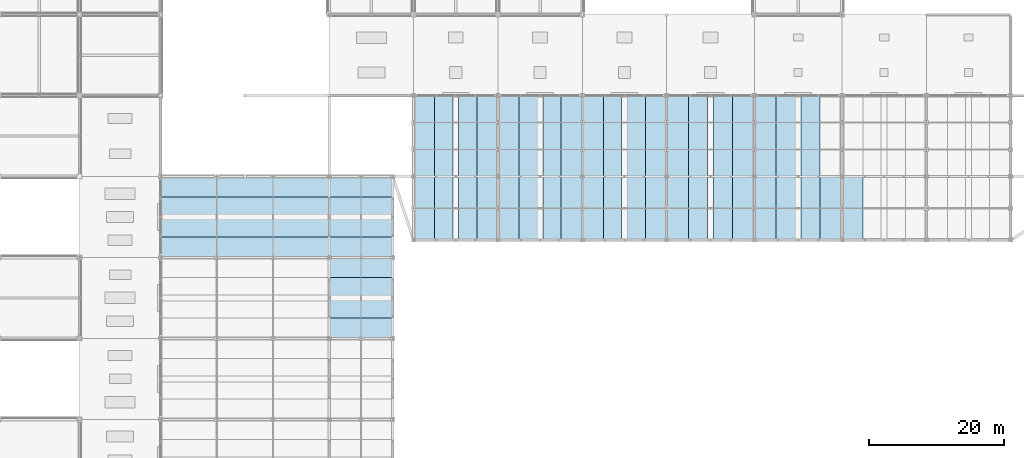
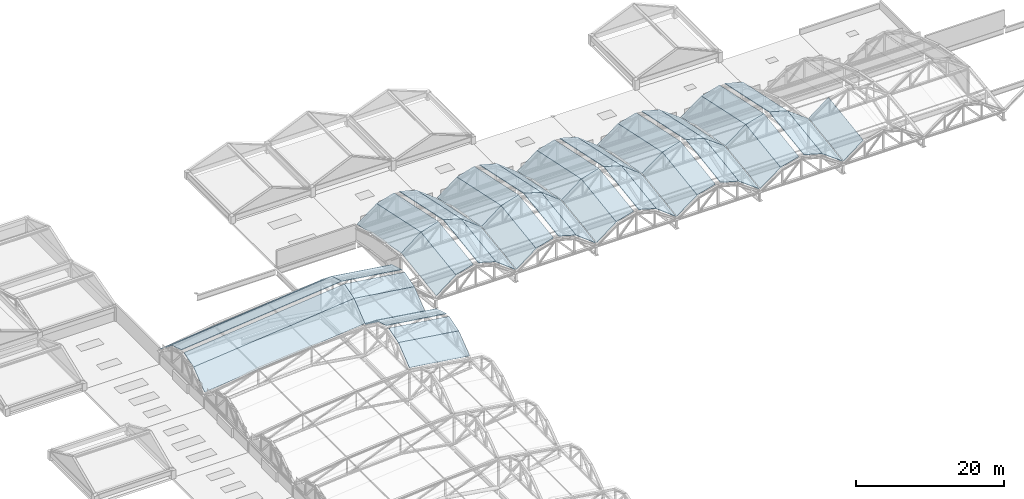
# One storey, part 112 of 117: 52 roofs.
"""IFC4 building model written with IfcOpenShell, lengths in metres."""

from ifc_helpers import new_model, si_unit, direction, frame, origin, place, context, subcontext, project, spatial, polyline, outline, extrude, material, layer, layer_set, type_object, element, save


model = new_model("IFC4")

# Units and contexts
model_context = context("Model", 3, precision=1e-05, world=origin(), true_north=direction((0.0, 1.0)))
body_context = subcontext(model_context, "Body", "Model", "MODEL_VIEW")
ifc_project = project(units=[si_unit("LENGTHUNIT", "METRE"), si_unit("AREAUNIT", "SQUARE_METRE"), si_unit("VOLUMEUNIT", "CUBIC_METRE"), si_unit("PLANEANGLEUNIT", "RADIAN"), si_unit("MASSUNIT", "GRAM", prefix="KILO")], contexts=[model_context])

# Site, building, storey
site_placement = place(None, origin())
site = spatial("IfcSite", under=ifc_project, at=site_placement, CompositionType="ELEMENT")
building_placement = place(site_placement, origin())
building = spatial("IfcBuilding", under=site, at=building_placement, Name="Kazenohara Klinker Stadium", CompositionType="ELEMENT")
storey_placement = place(building_placement, frame((0.0, 0.0, 31.199951171875)))
storey = spatial("IfcBuildingStorey", under=building, at=storey_placement, Name="RF", CompositionType="ELEMENT", Elevation=31.199951171875)

# Roofs
ifc_material = material(Name="Patina copper standing seam roofing", Category="metal")
ifc_layer = layer(ifc_material, 0.080078125)
ifc_layer_set = layer_set([ifc_layer], Name="Patina copper standing seam roofing")
roof_type = type_object("IfcRoofType", Name="ROOF-BARREL-01", PredefinedType="BARREL_ROOF", material=ifc_layer_set)
roof_1_placement = place(storey_placement, frame((49.0, 108.06005859375, 5.14794921875), z_axis=(0.1114348372, -0.620820003285, 0.775992783845), x_axis=(0.989845879347, 0.0, -0.142144768244)))
element("IfcRoof", 1, at=roof_1_placement, inside=storey, type_object=roof_type, Name="Scalloped copper barrel-arch roof shell W-06 inner strip 1", PredefinedType="BARREL_ROOF", context=body_context, shape_type="SweptSolid", body=[
    extrude(outline(polyline([(0.0, 0.0), (9.496329216369972, -1.1102230246251565e-16), (9.16199750317222, 3.750149417731541), (-0.3343317131977522, 3.7501494177315413), (0.0, 0.0)])), origin(), (0.0, 0.0, -1.0), 0.080078125),
])
roof_2_placement = place(storey_placement, frame((49.0, 111.0, 7.5), z_axis=(0.136061259308, -0.289700944037, 0.947396800047), x_axis=(0.989844222428, 3.528061e-06, -0.142156305924)))
element("IfcRoof", 2, at=roof_2_placement, inside=storey, type_object=roof_type, Name="Scalloped copper barrel-arch roof shell W-06 inner strip 2", PredefinedType="BARREL_ROOF", context=body_context, shape_type="SweptSolid", body=[
    extrude(outline(polyline([(0.0, 0.0), (9.496329215665769, -1.1102230246251565e-16), (9.382641165120983, 2.733138275735066), (-0.11372275667416151, 2.7332082853263064), (0.0, 0.0)])), origin(), (0.0, 0.0, -1.0), 0.080078125),
])
roof_3_placement = place(storey_placement, frame((49.0, 114.384033203125, 8.300048828125), z_axis=(0.136061259308, 0.289700944037, 0.947396800047), x_axis=(0.989843918815, 3.528048e-06, -0.142158419982)))
element("IfcRoof", 3, at=roof_3_placement, inside=storey, type_object=roof_type, Name="Scalloped copper barrel-arch roof shell W-06 inner strip 3", PredefinedType="BARREL_ROOF", context=body_context, shape_type="SweptSolid", body=[
    extrude(outline(polyline([(0.0, 0.0), (9.49636392205321, 0.0), (9.61007212197998, 2.733137437523795), (0.11374290657227543, 2.733207446859171), (0.0, 0.0)])), origin(), (0.0, 0.0, -1.0), 0.080078125),
])
roof_4_placement = place(storey_placement, frame((49.0, 117.0, 7.5), z_axis=(0.1114348372, 0.620820003285, 0.775992783845), x_axis=(0.989845879347, 0.0, -0.142144768244)))
element("IfcRoof", 4, at=roof_4_placement, inside=storey, type_object=roof_type, Name="Scalloped copper barrel-arch roof shell W-06 inner strip 4", PredefinedType="BARREL_ROOF", context=body_context, shape_type="SweptSolid", body=[
    extrude(outline(polyline([(0.0, 0.0), (9.496329216369972, 1.1102230246251565e-16), (9.830660929567724, 3.7501494177315413), (0.3343317131977522, 3.7501494177315413), (0.0, 0.0)])), origin(), (0.0, 0.0, -1.0), 0.080078125),
])
roof_5_placement = place(storey_placement, frame((49.0, 120.06005859375, 5.14794921875), z_axis=(0.1114348372, -0.620820003285, 0.775992783845), x_axis=(0.989845879347, 0.0, -0.142144768244)))
element("IfcRoof", 5, at=roof_5_placement, inside=storey, type_object=roof_type, Name="Scalloped copper barrel-arch roof shell W-07 inner strip 1", PredefinedType="BARREL_ROOF", context=body_context, shape_type="SweptSolid", body=[
    extrude(outline(polyline([(0.0, 0.0), (9.496329216369972, -1.1102230246251565e-16), (9.16199750317222, 3.750149417731541), (-0.3343317131977522, 3.7501494177315413), (0.0, 0.0)])), origin(), (0.0, 0.0, -1.0), 0.080078125),
])
roof_6_placement = place(storey_placement, frame((24.0, 120.06005859375, 2.59814453125), z_axis=(-0.079395226247, -0.62271907893, 0.778406928788), x_axis=(0.994838726822, -2.354625e-06, 0.101468751889)))
element("IfcRoof", 6, at=roof_6_placement, inside=storey, type_object=roof_type, Name="Scalloped copper barrel-arch roof shell W-07 outer strip 1", PredefinedType="BARREL_ROOF", context=body_context, shape_type="SweptSolid", body=[
    extrude(outline(polyline([(0.0, 0.0), (25.129693669747912, 0.0), (25.368346404441525, 3.7574516913669496), (0.2386279620491107, 3.7573004449698315), (0.0, 0.0)])), origin(), (0.0, 0.0, -1.0), 0.080078125),
])
roof_7_placement = place(storey_placement, frame((49.0, 123.0, 7.5), z_axis=(0.136061259308, -0.289700944037, 0.947396800047), x_axis=(0.989844222428, 3.528061e-06, -0.142156305924)))
element("IfcRoof", 7, at=roof_7_placement, inside=storey, type_object=roof_type, Name="Scalloped copper barrel-arch roof shell W-07 inner strip 2", PredefinedType="BARREL_ROOF", context=body_context, shape_type="SweptSolid", body=[
    extrude(outline(polyline([(0.0, 0.0), (9.496329215665769, -1.1102230246251565e-16), (9.382641165120983, 2.733138275735066), (-0.11372275667416151, 2.7332082853263064), (0.0, 0.0)])), origin(), (0.0, 0.0, -1.0), 0.080078125),
])
roof_8_placement = place(storey_placement, frame((24.0, 123.0, 4.949951171875), z_axis=(-0.097081417551, -0.291079679099, 0.951760378867), x_axis=(0.994838046303, 0.0, 0.101475423766)))
element("IfcRoof", 8, at=roof_8_placement, inside=storey, type_object=roof_type, Name="Scalloped copper barrel-arch roof shell W-07 outer strip 2", PredefinedType="BARREL_ROOF", context=body_context, shape_type="SweptSolid", body=[
    extrude(outline(polyline([(0.0, 0.0), (25.129718443027205, 0.0), (25.210903736894636, 2.734368182559966), (0.08118529386742987, 2.7343681825599666), (0.0, 0.0)])), origin(), (0.0, 0.0, -1.0), 0.080078125),
])
roof_9_placement = place(storey_placement, frame((49.0, 126.384033203125, 8.300048828125), z_axis=(0.136061259308, 0.289700944037, 0.947396800047), x_axis=(0.989843918815, 3.528048e-06, -0.142158419982)))
element("IfcRoof", 9, at=roof_9_placement, inside=storey, type_object=roof_type, Name="Scalloped copper barrel-arch roof shell W-07 inner strip 3", PredefinedType="BARREL_ROOF", context=body_context, shape_type="SweptSolid", body=[
    extrude(outline(polyline([(0.0, 0.0), (9.49636392205321, 0.0), (9.61007212197998, 2.733137437523795), (0.11374290657227543, 2.733207446859171), (0.0, 0.0)])), origin(), (0.0, 0.0, -1.0), 0.080078125),
])
roof_10_placement = place(storey_placement, frame((24.0, 126.384033203125, 5.75), z_axis=(-0.097081417551, 0.291079679099, 0.951760378867), x_axis=(0.994838046303, 0.0, 0.101475423766)))
element("IfcRoof", 10, at=roof_10_placement, inside=storey, type_object=roof_type, Name="Scalloped copper barrel-arch roof shell W-07 outer strip 3", PredefinedType="BARREL_ROOF", context=body_context, shape_type="SweptSolid", body=[
    extrude(outline(polyline([(0.0, 0.0), (25.129718443027205, 0.0), (25.048533149159773, 2.7343681825599666), (-0.08118529386742987, 2.7343681825599666), (0.0, 0.0)])), origin(), (0.0, 0.0, -1.0), 0.080078125),
])
roof_11_placement = place(storey_placement, frame((49.0, 129.0, 7.5), z_axis=(0.1114348372, 0.620820003285, 0.775992783845), x_axis=(0.989845879347, 0.0, -0.142144768244)))
element("IfcRoof", 11, at=roof_11_placement, inside=storey, type_object=roof_type, Name="Scalloped copper barrel-arch roof shell W-07 inner strip 4", PredefinedType="BARREL_ROOF", context=body_context, shape_type="SweptSolid", body=[
    extrude(outline(polyline([(0.0, 0.0), (9.496329216369972, 1.1102230246251565e-16), (9.830660929567724, 3.7501494177315413), (0.3343317131977522, 3.7501494177315413), (0.0, 0.0)])), origin(), (0.0, 0.0, -1.0), 0.080078125),
])
roof_12_placement = place(storey_placement, frame((24.0, 129.0, 4.949951171875), z_axis=(-0.079395226247, 0.62271907893, 0.778406928788), x_axis=(0.994838346519, -2.354623e-06, 0.101472480458)))
element("IfcRoof", 12, at=roof_12_placement, inside=storey, type_object=roof_type, Name="Scalloped copper barrel-arch roof shell W-07 outer strip 4", PredefinedType="BARREL_ROOF", context=body_context, shape_type="SweptSolid", body=[
    extrude(outline(polyline([(0.0, 0.0), (25.12971844284756, 2.220446049250313e-16), (24.891043093458787, 3.7574502549371473), (-0.23865057583397561, 3.757299008689129), (0.0, 0.0)])), origin(), (0.0, 0.0, -1.0), 0.080078125),
])
roof_13_placement = place(storey_placement, frame((61.5625, 132.0, 5.14794921875), z_axis=(-0.605193292064, -0.11315840291, 0.787995085702), x_axis=(0.0, -0.989845879347, -0.142144768244)))
element("IfcRoof", 13, at=roof_13_placement, inside=storey, type_object=roof_type, Name="Scalloped copper barrel-arch roof shell N-01 inner strip 1", PredefinedType="BARREL_ROOF", context=body_context, shape_type="SweptSolid", body=[
    extrude(outline(polyline([(0.0, 0.0), (9.496329216369972, -2.220446049250313e-16), (9.16199750317222, 3.846982120198766), (-0.3343317131977522, 3.846982120198766), (0.0, 0.0)])), origin(), (0.0, 0.0, -1.0), 0.080078125),
])
roof_14_placement = place(storey_placement, frame((61.5625, 144.0, 2.59814453125), z_axis=(-0.600615995654, 0.166186330342, 0.782075782372), x_axis=(-4.673964e-06, -0.978160794535, 0.207849609123)))
element("IfcRoof", 14, at=roof_14_placement, inside=storey, type_object=roof_type, Name="Scalloped copper barrel-arch roof shell N-01 outer strip 1", PredefinedType="BARREL_ROOF", context=body_context, shape_type="SweptSolid", body=[
    extrude(outline(polyline([(0.0, 0.0), (12.267905442058264, 0.0), (12.756763963564547, 3.8304133542498056), (0.4888077769728044, 3.8302699216823575), (0.0, 0.0)])), origin(), (0.0, 0.0, -1.0), 0.080078125),
])
roof_15_placement = place(storey_placement, frame((64.625, 132.0, 7.5), z_axis=(-0.279019930215, -0.136511627499, 0.950532721215), x_axis=(3.409232e-06, -0.989844211441, -0.142156382431)))
element("IfcRoof", 15, at=roof_15_placement, inside=storey, type_object=roof_type, Name="Scalloped copper barrel-arch roof shell N-01 inner strip 2", PredefinedType="BARREL_ROOF", context=body_context, shape_type="SweptSolid", body=[
    extrude(outline(polyline([(0.0, 0.0), (9.496329215661099, -1.1102230246251565e-16), (9.382641165125596, 2.8377666901893592), (-0.11372275668355664, 2.837834118589799), (0.0, 0.0)])), origin(), (0.0, 0.0, -1.0), 0.080078125),
])
roof_16_placement = place(storey_placement, frame((64.625, 144.0, 4.949951171875), z_axis=(-0.276017021215, 0.199787674479, 0.94015928923), x_axis=(0.0, -0.978158041674, 0.207862563991)))
element("IfcRoof", 16, at=roof_16_placement, inside=storey, type_object=roof_type, Name="Scalloped copper barrel-arch roof shell N-01 outer strip 2", PredefinedType="BARREL_ROOF", context=body_context, shape_type="SweptSolid", body=[
    extrude(outline(polyline([(0.0, 0.0), (12.267956187801687, 1.1102230246251565e-16), (12.434256388533697, 2.8352388976451213), (0.16630020073201093, 2.8352388976451213), (0.0, 0.0)])), origin(), (0.0, 0.0, -1.0), 0.080078125),
])
roof_17_placement = place(storey_placement, frame((68.14990234375, 132.0, 8.300048828125), z_axis=(0.279019930215, -0.136511627499, 0.950532721215), x_axis=(3.40922e-06, -0.989843929803, -0.142158343476)))
element("IfcRoof", 17, at=roof_17_placement, inside=storey, type_object=roof_type, Name="Scalloped copper barrel-arch roof shell N-01 inner strip 3", PredefinedType="BARREL_ROOF", context=body_context, shape_type="SweptSolid", body=[
    extrude(outline(polyline([(0.0, 0.0), (9.496363922048538, 5.551115123125783e-17), (9.610072121984706, 2.8377658828821857), (0.11374290656299219, 2.8378333110361944), (0.0, 0.0)])), origin(), (0.0, 0.0, -1.0), 0.080078125),
])
roof_18_placement = place(storey_placement, frame((68.14990234375, 144.0, 5.75), z_axis=(0.276017021215, 0.199787674479, 0.94015928923), x_axis=(0.0, -0.978158041674, 0.207862563991)))
element("IfcRoof", 18, at=roof_18_placement, inside=storey, type_object=roof_type, Name="Scalloped copper barrel-arch roof shell N-01 outer strip 3", PredefinedType="BARREL_ROOF", context=body_context, shape_type="SweptSolid", body=[
    extrude(outline(polyline([(0.0, 0.0), (12.267956187801687, -1.1102230246251565e-16), (12.101655987069677, 2.8352388976451213), (-0.16630020073201093, 2.8352388976451213), (0.0, 0.0)])), origin(), (0.0, 0.0, -1.0), 0.080078125),
])
roof_19_placement = place(storey_placement, frame((70.875, 132.0, 7.5), z_axis=(0.605193292064, -0.11315840291, 0.787995085702), x_axis=(0.0, -0.989845879347, -0.142144768244)))
element("IfcRoof", 19, at=roof_19_placement, inside=storey, type_object=roof_type, Name="Scalloped copper barrel-arch roof shell N-01 inner strip 4", PredefinedType="BARREL_ROOF", context=body_context, shape_type="SweptSolid", body=[
    extrude(outline(polyline([(0.0, 0.0), (9.496329216369972, 2.220446049250313e-16), (9.830660929567724, 3.846982120198766), (0.3343317131977522, 3.846982120198766), (0.0, 0.0)])), origin(), (0.0, 0.0, -1.0), 0.080078125),
])
roof_20_placement = place(storey_placement, frame((70.875, 144.0, 4.949951171875), z_axis=(0.600615995654, 0.166186330342, 0.782075782372), x_axis=(-4.673945e-06, -0.978159334952, 0.207856477947)))
element("IfcRoof", 20, at=roof_20_placement, inside=storey, type_object=roof_type, Name="Scalloped copper barrel-arch roof shell N-01 outer strip 4", PredefinedType="BARREL_ROOF", context=body_context, shape_type="SweptSolid", body=[
    extrude(outline(polyline([(0.0, 0.0), (12.267956187430222, 0.0), (11.779052882130824, 3.8304076384285626), (-0.48885255908896436, 3.8302642064544115), (0.0, 0.0)])), origin(), (0.0, 0.0, -1.0), 0.080078125),
])
roof_21_placement = place(storey_placement, frame((74.0625, 132.0, 5.14794921875), z_axis=(-0.605193292064, -0.11315840291, 0.787995085702), x_axis=(0.0, -0.989845879347, -0.142144768244)))
element("IfcRoof", 21, at=roof_21_placement, inside=storey, type_object=roof_type, Name="Scalloped copper barrel-arch roof shell N-02 inner strip 1", PredefinedType="BARREL_ROOF", context=body_context, shape_type="SweptSolid", body=[
    extrude(outline(polyline([(0.0, 0.0), (9.496329216369972, -2.220446049250313e-16), (9.16199750317222, 3.846982120198766), (-0.3343317131977522, 3.846982120198766), (0.0, 0.0)])), origin(), (0.0, 0.0, -1.0), 0.080078125),
])
roof_22_placement = place(storey_placement, frame((74.0625, 144.0, 2.59814453125), z_axis=(-0.600615995654, 0.166186330342, 0.782075782372), x_axis=(-4.673964e-06, -0.978160794535, 0.207849609123)))
element("IfcRoof", 22, at=roof_22_placement, inside=storey, type_object=roof_type, Name="Scalloped copper barrel-arch roof shell N-02 outer strip 1", PredefinedType="BARREL_ROOF", context=body_context, shape_type="SweptSolid", body=[
    extrude(outline(polyline([(0.0, 0.0), (12.267905442058264, 0.0), (12.756763963564547, 3.8304133542498056), (0.4888077769728044, 3.8302699216823575), (0.0, 0.0)])), origin(), (0.0, 0.0, -1.0), 0.080078125),
])
roof_23_placement = place(storey_placement, frame((77.125, 132.0, 7.5), z_axis=(-0.279019930215, -0.136511627499, 0.950532721215), x_axis=(3.409232e-06, -0.989844211441, -0.142156382431)))
element("IfcRoof", 23, at=roof_23_placement, inside=storey, type_object=roof_type, Name="Scalloped copper barrel-arch roof shell N-02 inner strip 2", PredefinedType="BARREL_ROOF", context=body_context, shape_type="SweptSolid", body=[
    extrude(outline(polyline([(0.0, 0.0), (9.496329215661099, -1.1102230246251565e-16), (9.382641165125596, 2.8377666901893592), (-0.11372275668355664, 2.837834118589799), (0.0, 0.0)])), origin(), (0.0, 0.0, -1.0), 0.080078125),
])
roof_24_placement = place(storey_placement, frame((77.125, 144.0, 4.949951171875), z_axis=(-0.276017021215, 0.199787674479, 0.94015928923), x_axis=(0.0, -0.978158041674, 0.207862563991)))
element("IfcRoof", 24, at=roof_24_placement, inside=storey, type_object=roof_type, Name="Scalloped copper barrel-arch roof shell N-02 outer strip 2", PredefinedType="BARREL_ROOF", context=body_context, shape_type="SweptSolid", body=[
    extrude(outline(polyline([(0.0, 0.0), (12.267956187801687, 1.1102230246251565e-16), (12.434256388533697, 2.8352388976451213), (0.16630020073201093, 2.8352388976451213), (0.0, 0.0)])), origin(), (0.0, 0.0, -1.0), 0.080078125),
])
roof_25_placement = place(storey_placement, frame((80.64990234375, 132.0, 8.300048828125), z_axis=(0.279019930215, -0.136511627499, 0.950532721215), x_axis=(3.40922e-06, -0.989843929803, -0.142158343476)))
element("IfcRoof", 25, at=roof_25_placement, inside=storey, type_object=roof_type, Name="Scalloped copper barrel-arch roof shell N-02 inner strip 3", PredefinedType="BARREL_ROOF", context=body_context, shape_type="SweptSolid", body=[
    extrude(outline(polyline([(0.0, 0.0), (9.496363922048538, 5.551115123125783e-17), (9.610072121984706, 2.8377658828821857), (0.11374290656299219, 2.8378333110361944), (0.0, 0.0)])), origin(), (0.0, 0.0, -1.0), 0.080078125),
])
roof_26_placement = place(storey_placement, frame((80.64990234375, 144.0, 5.75), z_axis=(0.276017021215, 0.199787674479, 0.94015928923), x_axis=(0.0, -0.978158041674, 0.207862563991)))
element("IfcRoof", 26, at=roof_26_placement, inside=storey, type_object=roof_type, Name="Scalloped copper barrel-arch roof shell N-02 outer strip 3", PredefinedType="BARREL_ROOF", context=body_context, shape_type="SweptSolid", body=[
    extrude(outline(polyline([(0.0, 0.0), (12.267956187801687, -1.1102230246251565e-16), (12.101655987069677, 2.8352388976451213), (-0.16630020073201093, 2.8352388976451213), (0.0, 0.0)])), origin(), (0.0, 0.0, -1.0), 0.080078125),
])
roof_27_placement = place(storey_placement, frame((83.375, 132.0, 7.5), z_axis=(0.605193292064, -0.11315840291, 0.787995085702), x_axis=(0.0, -0.989845879347, -0.142144768244)))
element("IfcRoof", 27, at=roof_27_placement, inside=storey, type_object=roof_type, Name="Scalloped copper barrel-arch roof shell N-02 inner strip 4", PredefinedType="BARREL_ROOF", context=body_context, shape_type="SweptSolid", body=[
    extrude(outline(polyline([(0.0, 0.0), (9.496329216369972, 2.220446049250313e-16), (9.830660929567724, 3.846982120198766), (0.3343317131977522, 3.846982120198766), (0.0, 0.0)])), origin(), (0.0, 0.0, -1.0), 0.080078125),
])
roof_28_placement = place(storey_placement, frame((83.375, 144.0, 4.949951171875), z_axis=(0.600615995654, 0.166186330342, 0.782075782372), x_axis=(-4.673945e-06, -0.978159334952, 0.207856477947)))
element("IfcRoof", 28, at=roof_28_placement, inside=storey, type_object=roof_type, Name="Scalloped copper barrel-arch roof shell N-02 outer strip 4", PredefinedType="BARREL_ROOF", context=body_context, shape_type="SweptSolid", body=[
    extrude(outline(polyline([(0.0, 0.0), (12.267956187430222, 0.0), (11.779052882130824, 3.8304076384285626), (-0.48885255908896436, 3.8302642064544115), (0.0, 0.0)])), origin(), (0.0, 0.0, -1.0), 0.080078125),
])
roof_29_placement = place(storey_placement, frame((86.5625, 132.0, 5.14794921875), z_axis=(-0.605193292064, -0.11315840291, 0.787995085702), x_axis=(0.0, -0.989845879347, -0.142144768244)))
element("IfcRoof", 29, at=roof_29_placement, inside=storey, type_object=roof_type, Name="Scalloped copper barrel-arch roof shell N-03 inner strip 1", PredefinedType="BARREL_ROOF", context=body_context, shape_type="SweptSolid", body=[
    extrude(outline(polyline([(0.0, 0.0), (9.496329216369972, -2.220446049250313e-16), (9.16199750317222, 3.846982120198766), (-0.3343317131977522, 3.846982120198766), (0.0, 0.0)])), origin(), (0.0, 0.0, -1.0), 0.080078125),
])
roof_30_placement = place(storey_placement, frame((86.5625, 144.0, 2.59814453125), z_axis=(-0.600615995654, 0.166186330342, 0.782075782372), x_axis=(-4.673964e-06, -0.978160794535, 0.207849609123)))
element("IfcRoof", 30, at=roof_30_placement, inside=storey, type_object=roof_type, Name="Scalloped copper barrel-arch roof shell N-03 outer strip 1", PredefinedType="BARREL_ROOF", context=body_context, shape_type="SweptSolid", body=[
    extrude(outline(polyline([(0.0, 0.0), (12.267905442058264, 0.0), (12.756763963564547, 3.8304133542498056), (0.4888077769728044, 3.8302699216823575), (0.0, 0.0)])), origin(), (0.0, 0.0, -1.0), 0.080078125),
])
roof_31_placement = place(storey_placement, frame((89.625, 132.0, 7.5), z_axis=(-0.279019930215, -0.136511627499, 0.950532721215), x_axis=(3.409232e-06, -0.989844211441, -0.142156382431)))
element("IfcRoof", 31, at=roof_31_placement, inside=storey, type_object=roof_type, Name="Scalloped copper barrel-arch roof shell N-03 inner strip 2", PredefinedType="BARREL_ROOF", context=body_context, shape_type="SweptSolid", body=[
    extrude(outline(polyline([(0.0, 0.0), (9.496329215661099, -1.1102230246251565e-16), (9.382641165125596, 2.8377666901893592), (-0.11372275668355664, 2.837834118589799), (0.0, 0.0)])), origin(), (0.0, 0.0, -1.0), 0.080078125),
])
roof_32_placement = place(storey_placement, frame((89.625, 144.0, 4.949951171875), z_axis=(-0.276017021215, 0.199787674479, 0.94015928923), x_axis=(0.0, -0.978158041674, 0.207862563991)))
element("IfcRoof", 32, at=roof_32_placement, inside=storey, type_object=roof_type, Name="Scalloped copper barrel-arch roof shell N-03 outer strip 2", PredefinedType="BARREL_ROOF", context=body_context, shape_type="SweptSolid", body=[
    extrude(outline(polyline([(0.0, 0.0), (12.267956187801687, 1.1102230246251565e-16), (12.434256388533697, 2.8352388976451213), (0.16630020073201093, 2.8352388976451213), (0.0, 0.0)])), origin(), (0.0, 0.0, -1.0), 0.080078125),
])
roof_33_placement = place(storey_placement, frame((93.14990234375, 132.0, 8.300048828125), z_axis=(0.279019930215, -0.136511627499, 0.950532721215), x_axis=(3.40922e-06, -0.989843929803, -0.142158343476)))
element("IfcRoof", 33, at=roof_33_placement, inside=storey, type_object=roof_type, Name="Scalloped copper barrel-arch roof shell N-03 inner strip 3", PredefinedType="BARREL_ROOF", context=body_context, shape_type="SweptSolid", body=[
    extrude(outline(polyline([(0.0, 0.0), (9.496363922048538, 5.551115123125783e-17), (9.610072121984706, 2.8377658828821857), (0.11374290656299219, 2.8378333110361944), (0.0, 0.0)])), origin(), (0.0, 0.0, -1.0), 0.080078125),
])
roof_34_placement = place(storey_placement, frame((93.14990234375, 144.0, 5.75), z_axis=(0.276017021215, 0.199787674479, 0.94015928923), x_axis=(0.0, -0.978158041674, 0.207862563991)))
element("IfcRoof", 34, at=roof_34_placement, inside=storey, type_object=roof_type, Name="Scalloped copper barrel-arch roof shell N-03 outer strip 3", PredefinedType="BARREL_ROOF", context=body_context, shape_type="SweptSolid", body=[
    extrude(outline(polyline([(0.0, 0.0), (12.267956187801687, -1.1102230246251565e-16), (12.101655987069677, 2.8352388976451213), (-0.16630020073201093, 2.8352388976451213), (0.0, 0.0)])), origin(), (0.0, 0.0, -1.0), 0.080078125),
])
roof_35_placement = place(storey_placement, frame((95.875, 132.0, 7.5), z_axis=(0.605193292064, -0.11315840291, 0.787995085702), x_axis=(0.0, -0.989845879347, -0.142144768244)))
element("IfcRoof", 35, at=roof_35_placement, inside=storey, type_object=roof_type, Name="Scalloped copper barrel-arch roof shell N-03 inner strip 4", PredefinedType="BARREL_ROOF", context=body_context, shape_type="SweptSolid", body=[
    extrude(outline(polyline([(0.0, 0.0), (9.496329216369972, 2.220446049250313e-16), (9.830660929567724, 3.846982120198766), (0.3343317131977522, 3.846982120198766), (0.0, 0.0)])), origin(), (0.0, 0.0, -1.0), 0.080078125),
])
roof_36_placement = place(storey_placement, frame((95.875, 144.0, 4.949951171875), z_axis=(0.600615995654, 0.166186330342, 0.782075782372), x_axis=(-4.673945e-06, -0.978159334952, 0.207856477947)))
element("IfcRoof", 36, at=roof_36_placement, inside=storey, type_object=roof_type, Name="Scalloped copper barrel-arch roof shell N-03 outer strip 4", PredefinedType="BARREL_ROOF", context=body_context, shape_type="SweptSolid", body=[
    extrude(outline(polyline([(0.0, 0.0), (12.267956187430222, 0.0), (11.779052882130824, 3.8304076384285626), (-0.48885255908896436, 3.8302642064544115), (0.0, 0.0)])), origin(), (0.0, 0.0, -1.0), 0.080078125),
])
roof_37_placement = place(storey_placement, frame((99.06494140625, 132.0, 5.14794921875), z_axis=(-0.59011984707, -0.114755696616, 0.799118073996), x_axis=(0.0, -0.989845879347, -0.142144768244)))
element("IfcRoof", 37, at=roof_37_placement, inside=storey, type_object=roof_type, Name="Scalloped copper barrel-arch roof shell N-04 inner strip 1", PredefinedType="BARREL_ROOF", context=body_context, shape_type="SweptSolid", body=[
    extrude(outline(polyline([(0.0, 0.0), (9.496329216369972, 1.1102230246251565e-16), (9.16199750317222, 3.945245674067677), (-0.3343317131977522, 3.945245674067677), (0.0, 0.0)])), origin(), (0.0, 0.0, -1.0), 0.080078125),
])
roof_38_placement = place(storey_placement, frame((99.06494140625, 144.0, 2.59814453125), z_axis=(-0.585531139913, 0.168496052019, 0.792945373053), x_axis=(-4.619903e-06, -0.978160758338, 0.207849779472)))
element("IfcRoof", 38, at=roof_38_placement, inside=storey, type_object=roof_type, Name="Scalloped copper barrel-arch roof shell N-04 outer strip 1", PredefinedType="BARREL_ROOF", context=body_context, shape_type="SweptSolid", body=[
    extrude(outline(polyline([(0.0, 0.0), (12.267905442047867, 0.0), (12.756763963575356, 3.929091302039204), (0.4888077769524241, 3.9289514718726313), (0.0, 0.0)])), origin(), (0.0, 0.0, -1.0), 0.080078125),
])
roof_39_placement = place(storey_placement, frame((102.25, 132.0, 7.5), z_axis=(-0.269090093671, -0.136913889971, 0.953333681468), x_axis=(3.297592e-06, -0.989844201596, -0.14215645098)))
element("IfcRoof", 39, at=roof_39_placement, inside=storey, type_object=roof_type, Name="Scalloped copper barrel-arch roof shell N-04 inner strip 2", PredefinedType="BARREL_ROOF", context=body_context, shape_type="SweptSolid", body=[
    extrude(outline(polyline([(0.0, 0.0), (9.496329215656914, 0.0), (9.38264116512973, 2.9424870415204203), (-0.11372275669197447, 2.9425520702607555), (0.0, 0.0)])), origin(), (0.0, 0.0, -1.0), 0.080078125),
])
roof_40_placement = place(storey_placement, frame((102.25, 144.0, 4.949951171875), z_axis=(-0.26617723672, 0.200363735791, 0.942870114083), x_axis=(0.0, -0.978158041674, 0.207862563991)))
element("IfcRoof", 40, at=roof_40_placement, inside=storey, type_object=roof_type, Name="Scalloped copper barrel-arch roof shell N-04 outer strip 2", PredefinedType="BARREL_ROOF", context=body_context, shape_type="SweptSolid", body=[
    extrude(outline(polyline([(0.0, 0.0), (12.267956187801687, -1.1102230246251565e-16), (12.434256388533697, 2.940049286723748), (0.16630020073201093, 2.940049286723748), (0.0, 0.0)])), origin(), (0.0, 0.0, -1.0), 0.080078125),
])
roof_41_placement = place(storey_placement, frame((105.916015625, 132.0, 8.300048828125), z_axis=(0.269090093671, -0.136913889971, 0.953333681468), x_axis=(3.29758e-06, -0.989843939648, -0.142158274928)))
element("IfcRoof", 41, at=roof_41_placement, inside=storey, type_object=roof_type, Name="Scalloped copper barrel-arch roof shell N-04 inner strip 3", PredefinedType="BARREL_ROOF", context=body_context, shape_type="SweptSolid", body=[
    extrude(outline(polyline([(0.0, 0.0), (9.496363922044354, 0.0), (9.61007212198894, 2.942486262943912), (0.11374290655467463, 2.942551291446587), (0.0, 0.0)])), origin(), (0.0, 0.0, -1.0), 0.080078125),
])
roof_42_placement = place(storey_placement, frame((105.916015625, 144.0, 5.75), z_axis=(0.26617723672, 0.200363735791, 0.942870114083), x_axis=(0.0, -0.978158041674, 0.207862563991)))
element("IfcRoof", 42, at=roof_42_placement, inside=storey, type_object=roof_type, Name="Scalloped copper barrel-arch roof shell N-04 outer strip 3", PredefinedType="BARREL_ROOF", context=body_context, shape_type="SweptSolid", body=[
    extrude(outline(polyline([(0.0, 0.0), (12.267956187801687, 1.1102230246251565e-16), (12.101655987069677, 2.940049286723748), (-0.16630020073201093, 2.940049286723748), (0.0, 0.0)])), origin(), (0.0, 0.0, -1.0), 0.080078125),
])
roof_43_placement = place(storey_placement, frame((108.75, 132.0, 7.5), z_axis=(0.59011984707, -0.114755696616, 0.799118073996), x_axis=(0.0, -0.989845879347, -0.142144768244)))
element("IfcRoof", 43, at=roof_43_placement, inside=storey, type_object=roof_type, Name="Scalloped copper barrel-arch roof shell N-04 inner strip 4", PredefinedType="BARREL_ROOF", context=body_context, shape_type="SweptSolid", body=[
    extrude(outline(polyline([(0.0, 0.0), (9.496329216369972, -1.1102230246251565e-16), (9.830660929567724, 3.9452456740676767), (0.3343317131977522, 3.945245674067677), (0.0, 0.0)])), origin(), (0.0, 0.0, -1.0), 0.080078125),
])
roof_44_placement = place(storey_placement, frame((108.75, 144.0, 4.949951171875), z_axis=(0.585531139913, 0.168496052019, 0.792945373053), x_axis=(-4.619884e-06, -0.978159371151, 0.207856307599)))
element("IfcRoof", 44, at=roof_44_placement, inside=storey, type_object=roof_type, Name="Scalloped copper barrel-arch roof shell N-04 outer strip 4", PredefinedType="BARREL_ROOF", context=body_context, shape_type="SweptSolid", body=[
    extrude(outline(polyline([(0.0, 0.0), (12.267956187419827, 2.220446049250313e-16), (11.779052882140807, 3.929085729774476), (-0.4888525591101731, 3.9289459001862985), (0.0, 0.0)])), origin(), (0.0, 0.0, -1.0), 0.080078125),
])
roof_45_placement = place(storey_placement, frame((112.06494140625, 132.0, 5.14794921875), z_axis=(-0.59011984707, -0.114755696616, 0.799118073996), x_axis=(0.0, -0.989845879347, -0.142144768244)))
element("IfcRoof", 45, at=roof_45_placement, inside=storey, type_object=roof_type, Name="Scalloped copper barrel-arch roof shell N-05 inner strip 1", PredefinedType="BARREL_ROOF", context=body_context, shape_type="SweptSolid", body=[
    extrude(outline(polyline([(0.0, 0.0), (9.496329216369972, 1.1102230246251565e-16), (9.16199750317222, 3.945245674067677), (-0.3343317131977522, 3.945245674067677), (0.0, 0.0)])), origin(), (0.0, 0.0, -1.0), 0.080078125),
])
roof_46_placement = place(storey_placement, frame((112.06494140625, 144.0, 2.59814453125), z_axis=(-0.585531139913, 0.168496052019, 0.792945373053), x_axis=(-4.619903e-06, -0.978160758338, 0.207849779472)))
element("IfcRoof", 46, at=roof_46_placement, inside=storey, type_object=roof_type, Name="Scalloped copper barrel-arch roof shell N-05 outer strip 1", PredefinedType="BARREL_ROOF", context=body_context, shape_type="SweptSolid", body=[
    extrude(outline(polyline([(0.0, 0.0), (12.267905442047867, 0.0), (12.756763963575356, 3.929091302039204), (0.4888077769524241, 3.9289514718726313), (0.0, 0.0)])), origin(), (0.0, 0.0, -1.0), 0.080078125),
])
roof_47_placement = place(storey_placement, frame((115.25, 132.0, 7.5), z_axis=(-0.269090093671, -0.136913889971, 0.953333681468), x_axis=(3.297592e-06, -0.989844201596, -0.14215645098)))
element("IfcRoof", 47, at=roof_47_placement, inside=storey, type_object=roof_type, Name="Scalloped copper barrel-arch roof shell N-05 inner strip 2", PredefinedType="BARREL_ROOF", context=body_context, shape_type="SweptSolid", body=[
    extrude(outline(polyline([(0.0, 0.0), (9.496329215656914, 0.0), (9.38264116512973, 2.9424870415204203), (-0.11372275669197447, 2.9425520702607555), (0.0, 0.0)])), origin(), (0.0, 0.0, -1.0), 0.080078125),
])
roof_48_placement = place(storey_placement, frame((115.25, 144.0, 4.949951171875), z_axis=(-0.26617723672, 0.200363735791, 0.942870114083), x_axis=(0.0, -0.978158041674, 0.207862563991)))
element("IfcRoof", 48, at=roof_48_placement, inside=storey, type_object=roof_type, Name="Scalloped copper barrel-arch roof shell N-05 outer strip 2", PredefinedType="BARREL_ROOF", context=body_context, shape_type="SweptSolid", body=[
    extrude(outline(polyline([(0.0, 0.0), (12.267956187801687, -1.1102230246251565e-16), (12.434256388533697, 2.940049286723748), (0.16630020073201093, 2.940049286723748), (0.0, 0.0)])), origin(), (0.0, 0.0, -1.0), 0.080078125),
])
roof_49_placement = place(storey_placement, frame((118.916015625, 132.0, 8.300048828125), z_axis=(0.269090093671, -0.136913889971, 0.953333681468), x_axis=(3.29758e-06, -0.989843939648, -0.142158274928)))
element("IfcRoof", 49, at=roof_49_placement, inside=storey, type_object=roof_type, Name="Scalloped copper barrel-arch roof shell N-05 inner strip 3", PredefinedType="BARREL_ROOF", context=body_context, shape_type="SweptSolid", body=[
    extrude(outline(polyline([(0.0, 0.0), (9.496363922044354, 0.0), (9.61007212198894, 2.942486262943912), (0.11374290655467463, 2.942551291446587), (0.0, 0.0)])), origin(), (0.0, 0.0, -1.0), 0.080078125),
])
roof_50_placement = place(storey_placement, frame((118.916015625, 144.0, 5.75), z_axis=(0.26617723672, 0.200363735791, 0.942870114083), x_axis=(0.0, -0.978158041674, 0.207862563991)))
element("IfcRoof", 50, at=roof_50_placement, inside=storey, type_object=roof_type, Name="Scalloped copper barrel-arch roof shell N-05 outer strip 3", PredefinedType="BARREL_ROOF", context=body_context, shape_type="SweptSolid", body=[
    extrude(outline(polyline([(0.0, 0.0), (12.267956187801687, 1.1102230246251565e-16), (12.101655987069677, 2.940049286723748), (-0.16630020073201093, 2.940049286723748), (0.0, 0.0)])), origin(), (0.0, 0.0, -1.0), 0.080078125),
])
roof_51_placement = place(storey_placement, frame((121.75, 132.0, 7.5), z_axis=(0.59011984707, -0.114755696616, 0.799118073996), x_axis=(0.0, -0.989845879347, -0.142144768244)))
element("IfcRoof", 51, at=roof_51_placement, inside=storey, type_object=roof_type, Name="Scalloped copper barrel-arch roof shell N-05 inner strip 4", PredefinedType="BARREL_ROOF", context=body_context, shape_type="SweptSolid", body=[
    extrude(outline(polyline([(0.0, 0.0), (9.496329216369972, -1.1102230246251565e-16), (9.830660929567724, 3.9452456740676767), (0.3343317131977522, 3.945245674067677), (0.0, 0.0)])), origin(), (0.0, 0.0, -1.0), 0.080078125),
])
roof_52_placement = place(storey_placement, frame((125.0625, 132.0, 5.14794921875), z_axis=(-0.605193292064, -0.11315840291, 0.787995085702), x_axis=(0.0, -0.989845879347, -0.142144768244)))
element("IfcRoof", 52, at=roof_52_placement, inside=storey, type_object=roof_type, Name="Scalloped copper barrel-arch roof shell N-06 inner strip 1", PredefinedType="BARREL_ROOF", context=body_context, shape_type="SweptSolid", body=[
    extrude(outline(polyline([(0.0, 0.0), (9.496329216369972, -2.220446049250313e-16), (9.16199750317222, 3.846982120198766), (-0.3343317131977522, 3.846982120198766), (0.0, 0.0)])), origin(), (0.0, 0.0, -1.0), 0.080078125),
])

save(model, "model.ifc")
